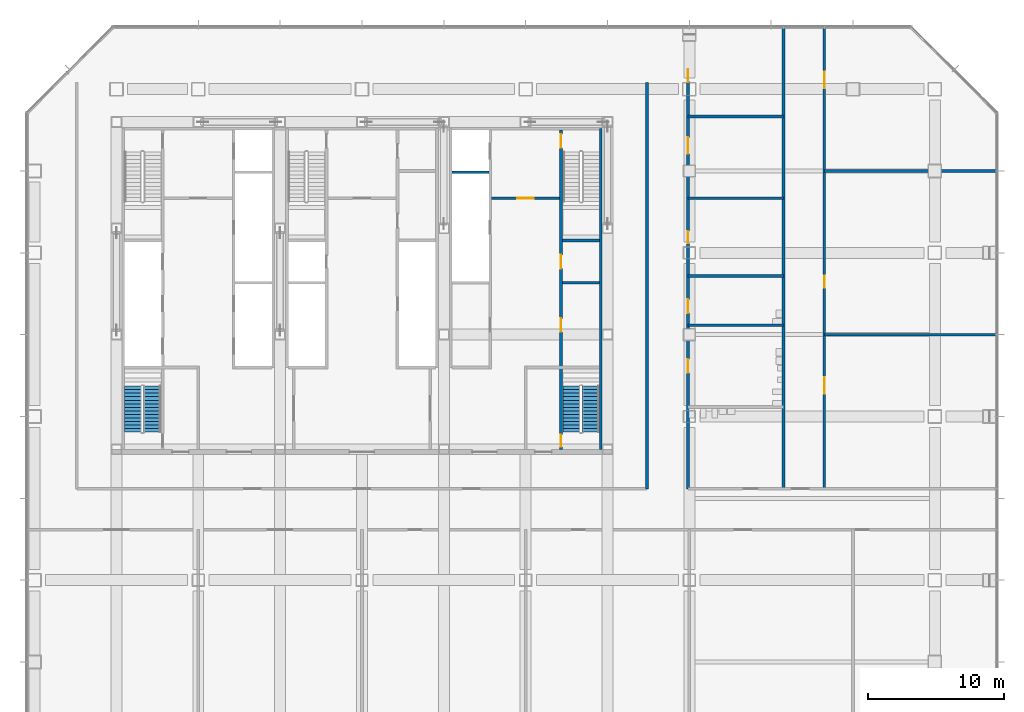
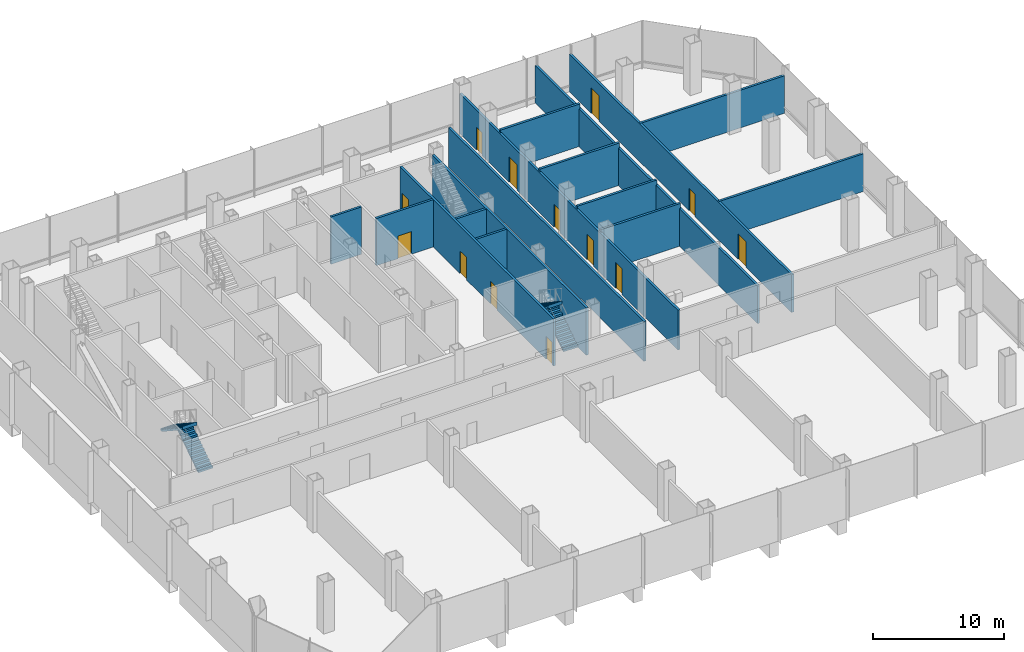
# One storey, part 24 of 34: 16 walls, 13 doors, 4 stair flights, 13 openings, 2 elements without a shape of their own.
"""IFC4 building model written with IfcOpenShell, lengths in metres."""

from ifc_helpers import new_model, si_unit, direction, frame, frame_2d, origin, place, context, subcontext, project, spatial, polyline, rectangle, outline, extrude, material, layer, layer_set, type_object, element, fill, aggregate, save


model = new_model("IFC4")

# Units and contexts
model_context = context("Model", 3, precision=1e-05, world=origin(), true_north=direction((0.0, 1.0)))
body_context = subcontext(model_context, "Body", "Model", "MODEL_VIEW")
ifc_project = project(units=[si_unit("LENGTHUNIT", "METRE"), si_unit("AREAUNIT", "SQUARE_METRE"), si_unit("VOLUMEUNIT", "CUBIC_METRE"), si_unit("PLANEANGLEUNIT", "RADIAN"), si_unit("MASSUNIT", "GRAM", prefix="KILO")], contexts=[model_context])

# Site, building, storey
site_placement = place(None, origin())
site = spatial("IfcSite", under=ifc_project, at=site_placement, CompositionType="ELEMENT")
building_placement = place(site_placement, origin())
building = spatial("IfcBuilding", under=site, at=building_placement, Name="Sorahane Residences", CompositionType="ELEMENT")
storey_placement = place(building_placement, frame((0.0, 0.0, 20.39990234375)))
storey = spatial("IfcBuildingStorey", under=building, at=storey_placement, Name="L02", CompositionType="ELEMENT", Elevation=20.39990234375)

# Walls
ifc_material_1 = material(Name="Concrete C30", Category="concrete")
ifc_layer_1 = layer(ifc_material_1, 0.199951171875)
ifc_layer_set_1 = layer_set([ifc_layer_1], Name="Core face wall 200 EI 180")
wall_type_1 = type_object("IfcWallType", Name="Core face wall 200 EI 180", PredefinedType="SOLIDWALL", material=ifc_layer_set_1)
wall_1_placement = place(storey_placement, frame((41.5, 21.60009765625, 0.0), z_axis=(0.0, 0.0, 1.0), x_axis=(0.0, 1.0, 0.0)))
element("IfcWall", 1, at=wall_1_placement, inside=storey, type_object=wall_type_1, Name="L02 core face wall", PredefinedType="SOLIDWALL", context=body_context, shape_type="SweptSolid", body=[
    extrude(rectangle(XDim=23.5, YDim=0.199951171875, at=frame_2d((11.75, 0.0))), origin(), (0.0, 0.0, 1.0), 4.400146484375),
])
ifc_material_2 = material(Name="Concrete blockwork C20 wall", Category="masonry")
ifc_layer_2 = layer(ifc_material_2, 0.199951171875)
ifc_layer_set_2 = layer_set([ifc_layer_2], Name="Corridor wall 200 EI 120")
wall_type_2 = type_object("IfcWallType", Name="Corridor wall 200 EI 120", PredefinedType="SOLIDWALL", material=ifc_layer_set_2)
wall_2_placement = place(storey_placement, frame((44.89990234375, 18.699951171875, 0.0), z_axis=(0.0, 0.0, 1.0), x_axis=(0.0, 1.0, 0.0)))
element("IfcWall", 2, at=wall_2_placement, inside=storey, type_object=wall_type_2, Name="L02 corridor wall", PredefinedType="SOLIDWALL", context=body_context, shape_type="SweptSolid", body=[
    extrude(rectangle(XDim=29.800048828125, YDim=0.199951171875, at=frame_2d((14.89990234375, 0.0))), origin(), (0.0, 0.0, 1.0), 3.7001953125),
])

# Wall, openings, doors
wall_3_placement = place(storey_placement, frame((47.89990234375, 18.699951171875, 0.0), z_axis=(0.0, 0.0, 1.0), x_axis=(0.0, 1.0, 0.0)))
wall_3 = element("IfcWall", 3, at=wall_3_placement, inside=storey, type_object=wall_type_2, Name="L02 corridor wall", PredefinedType="SOLIDWALL", context=body_context, shape_type="SweptSolid", body=[
    extrude(rectangle(XDim=33.300048828125, YDim=0.199951171875, at=frame_2d((16.64990234375, 0.0))), origin(), (0.0, 0.0, 1.0), 3.7001953125),
])
opening_1_placement = place(wall_3_placement, frame((8.5, 0.0, 0.0)))
opening_1 = element("IfcOpeningElement", 4, at=opening_1_placement, cuts=wall_3, Name="Opening L02-08", PredefinedType="OPENING", context=body_context, shape_type="SweptSolid", body=[
    extrude(rectangle(XDim=1.0, YDim=2.39990234375, at=frame_2d((0.5, 1.199951171875))), frame((0.0, 0.10986328125, 0.0), z_axis=(0.0, -1.0, 0.0), x_axis=(1.0, 0.0, 0.0)), (0.0, 0.0, 1.0), 0.219970703125),
])
opening_2_placement = place(wall_3_placement, frame((12.8798828125, 0.0, 0.0)))
opening_2 = element("IfcOpeningElement", 5, at=opening_2_placement, cuts=wall_3, Name="Opening L02-09", PredefinedType="OPENING", context=body_context, shape_type="SweptSolid", body=[
    extrude(rectangle(XDim=1.0, YDim=2.39990234375, at=frame_2d((0.5, 1.199951171875))), frame((0.0, 0.10986328125, 0.0), z_axis=(0.0, -1.0, 0.0), x_axis=(1.0, 0.0, 0.0)), (0.0, 0.0, 1.0), 0.219970703125),
])
opening_3_placement = place(wall_3_placement, frame((18.0, 0.0, 0.0)))
opening_3 = element("IfcOpeningElement", 6, at=opening_3_placement, cuts=wall_3, Name="Opening L02-10", PredefinedType="OPENING", context=body_context, shape_type="SweptSolid", body=[
    extrude(rectangle(XDim=0.89990234375, YDim=2.10009765625, at=frame_2d((0.449951171875, 1.050048828125))), frame((0.0, 0.10986328125, 0.0), z_axis=(0.0, -1.0, 0.0), x_axis=(1.0, 0.0, 0.0)), (0.0, 0.0, 1.0), 0.219970703125),
])
opening_4_placement = place(wall_3_placement, frame((24.56005859375, 0.0, 0.0)))
opening_4 = element("IfcOpeningElement", 7, at=opening_4_placement, cuts=wall_3, Name="Opening L02-11", PredefinedType="OPENING", context=body_context, shape_type="SweptSolid", body=[
    extrude(rectangle(XDim=1.199951171875, YDim=2.39990234375, at=frame_2d((0.60009765625, 1.199951171875))), frame((0.0, 0.10986328125, 0.0), z_axis=(0.0, -1.0, 0.0), x_axis=(1.0, 0.0, 0.0)), (0.0, 0.0, 1.0), 0.219970703125),
])
opening_5_placement = place(wall_3_placement, frame((29.85009765625, 0.0, 0.0)))
opening_5 = element("IfcOpeningElement", 8, at=opening_5_placement, cuts=wall_3, Name="Opening L02-12", PredefinedType="OPENING", context=body_context, shape_type="SweptSolid", body=[
    extrude(rectangle(XDim=0.89990234375, YDim=2.10009765625, at=frame_2d((0.449951171875, 1.050048828125))), frame((0.0, 0.10986328125, 0.0), z_axis=(0.0, -1.0, 0.0), x_axis=(1.0, 0.0, 0.0)), (0.0, 0.0, 1.0), 0.219970703125),
])
ifc_material_3 = material(Name="Steel", Category="steel")
door_type_1 = type_object("IfcDoorType", Name="Plant door 1200x2400 FD60", OperationType="NOTDEFINED", PredefinedType="DOOR", material=ifc_material_3)
door_1_placement = place(opening_4_placement, frame((1.199951171875, 0.0, 0.0), z_axis=(0.0, 0.0, 1.0), x_axis=(-1.0, 0.0, 0.0)))
door_1 = element("IfcDoor", 9, at=door_1_placement, inside=storey, type_object=door_type_1, Name="Plant door L02-11", OperationType="SINGLE_SWING_RIGHT", OverallHeight=2.39990234375, OverallWidth=1.199951171875, PredefinedType="DOOR", context=body_context, shape_type="SweptSolid", body=[
    extrude(rectangle(XDim=1.199951171875, YDim=2.39990234375, at=frame_2d((0.60009765625, 1.199951171875))), frame((0.0, 0.02490234375, 0.0), z_axis=(0.0, -1.0, 0.0), x_axis=(1.0, 0.0, 0.0)), (0.0, 0.0, 1.0), 0.050048828125),
])
fill(opening_4, door_1)
ifc_material_4 = material(Name="Timber veneered fire door", Category="wood")
door_type_2 = type_object("IfcDoorType", Name="Room door 1000x2400 FD30", OperationType="NOTDEFINED", PredefinedType="DOOR", material=ifc_material_4)
door_2_placement = place(opening_1_placement, frame((1.0, 0.0, 0.0), z_axis=(0.0, 0.0, 1.0), x_axis=(-1.0, 0.0, 0.0)))
door_2 = element("IfcDoor", 10, at=door_2_placement, inside=storey, type_object=door_type_2, Name="Room door L02-08", OperationType="SINGLE_SWING_LEFT", OverallHeight=2.39990234375, OverallWidth=1.0, PredefinedType="DOOR", context=body_context, shape_type="SweptSolid", body=[
    extrude(rectangle(XDim=1.0, YDim=2.39990234375, at=frame_2d((0.5, 1.199951171875))), frame((0.0, 0.02490234375, 0.0), z_axis=(0.0, -1.0, 0.0), x_axis=(1.0, 0.0, 0.0)), (0.0, 0.0, 1.0), 0.050048828125),
])
fill(opening_1, door_2)
door_3_placement = place(opening_2_placement, frame((1.0, 0.0, 0.0), z_axis=(0.0, 0.0, 1.0), x_axis=(-1.0, 0.0, 0.0)))
door_3 = element("IfcDoor", 11, at=door_3_placement, inside=storey, type_object=door_type_2, Name="Room door L02-09", OperationType="SINGLE_SWING_LEFT", OverallHeight=2.39990234375, OverallWidth=1.0, PredefinedType="DOOR", context=body_context, shape_type="SweptSolid", body=[
    extrude(rectangle(XDim=1.0, YDim=2.39990234375, at=frame_2d((0.5, 1.199951171875))), frame((0.0, 0.02490234375, 0.0), z_axis=(0.0, -1.0, 0.0), x_axis=(1.0, 0.0, 0.0)), (0.0, 0.0, 1.0), 0.050048828125),
])
fill(opening_2, door_3)
ifc_material_5 = material(Name="Timber veneered fire door", Category="wood")
door_type_3 = type_object("IfcDoorType", Name="Service door 900x2100 FD30", OperationType="NOTDEFINED", PredefinedType="DOOR", material=ifc_material_5)
door_4_placement = place(opening_3_placement, frame((0.89990234375, 0.0, 0.0), z_axis=(0.0, 0.0, 1.0), x_axis=(-1.0, 0.0, 0.0)))
door_4 = element("IfcDoor", 12, at=door_4_placement, inside=storey, type_object=door_type_3, Name="Service door L02-10", OperationType="SINGLE_SWING_RIGHT", OverallHeight=2.10009765625, OverallWidth=0.89990234375, PredefinedType="DOOR", context=body_context, shape_type="SweptSolid", body=[
    extrude(rectangle(XDim=0.89990234375, YDim=2.10009765625, at=frame_2d((0.449951171875, 1.050048828125))), frame((0.0, 0.02490234375, 0.0), z_axis=(0.0, -1.0, 0.0), x_axis=(1.0, 0.0, 0.0)), (0.0, 0.0, 1.0), 0.050048828125),
])
fill(opening_3, door_4)
door_5_placement = place(opening_5_placement, frame((0.89990234375, 0.0, 0.0), z_axis=(0.0, 0.0, 1.0), x_axis=(-1.0, 0.0, 0.0)))
door_5 = element("IfcDoor", 13, at=door_5_placement, inside=storey, type_object=door_type_3, Name="Service door L02-12", OperationType="SINGLE_SWING_LEFT", OverallHeight=2.10009765625, OverallWidth=0.89990234375, PredefinedType="DOOR", context=body_context, shape_type="SweptSolid", body=[
    extrude(rectangle(XDim=0.89990234375, YDim=2.10009765625, at=frame_2d((0.449951171875, 1.050048828125))), frame((0.0, 0.02490234375, 0.0), z_axis=(0.0, -1.0, 0.0), x_axis=(1.0, 0.0, 0.0)), (0.0, 0.0, 1.0), 0.050048828125),
])
fill(opening_5, door_5)

# Wall
wall_4_placement = place(storey_placement, frame((54.89990234375, 18.699951171875, 0.0), z_axis=(0.0, 0.0, 1.0), x_axis=(0.0, 1.0, 0.0)))
element("IfcWall", 14, at=wall_4_placement, inside=storey, type_object=wall_type_2, Name="L02 corridor wall", PredefinedType="SOLIDWALL", context=body_context, shape_type="SweptSolid", body=[
    extrude(rectangle(XDim=33.900146484375, YDim=0.199951171875, at=frame_2d((16.9501953125, 0.0))), origin(), (0.0, 0.0, 1.0), 3.5),
])

# Wall, openings, doors
wall_5_placement = place(storey_placement, frame((57.89990234375, 18.699951171875, 0.0), z_axis=(0.0, 0.0, 1.0), x_axis=(0.0, 1.0, 0.0)))
wall_5 = element("IfcWall", 15, at=wall_5_placement, inside=storey, type_object=wall_type_2, Name="L02 corridor wall", PredefinedType="SOLIDWALL", context=body_context, shape_type="SweptSolid", body=[
    extrude(rectangle(XDim=33.900146484375, YDim=0.199951171875, at=frame_2d((16.9501953125, 0.0))), origin(), (0.0, 0.0, 1.0), 3.5),
])
opening_6_placement = place(wall_5_placement, frame((6.969970703125, 0.0, 0.0)))
opening_6 = element("IfcOpeningElement", 16, at=opening_6_placement, cuts=wall_5, Name="Opening L02-14", PredefinedType="OPENING", context=body_context, shape_type="SweptSolid", body=[
    extrude(rectangle(XDim=1.199951171875, YDim=2.39990234375, at=frame_2d((0.60009765625, 1.199951171875))), frame((0.0, 0.10986328125, 0.0), z_axis=(0.0, -1.0, 0.0), x_axis=(1.0, 0.0, 0.0)), (0.0, 0.0, 1.0), 0.219970703125),
])
opening_7_placement = place(wall_5_placement, frame((14.72998046875, 0.0, 0.0)))
opening_7 = element("IfcOpeningElement", 17, at=opening_7_placement, cuts=wall_5, Name="Opening L02-15", PredefinedType="OPENING", context=body_context, shape_type="SweptSolid", body=[
    extrude(rectangle(XDim=0.89990234375, YDim=2.10009765625, at=frame_2d((0.449951171875, 1.050048828125))), frame((0.0, 0.10986328125, 0.0), z_axis=(0.0, -1.0, 0.0), x_axis=(1.0, 0.0, 0.0)), (0.0, 0.0, 1.0), 0.219970703125),
])
opening_8_placement = place(wall_5_placement, frame((29.360107421875, 0.0, 0.0)))
opening_8 = element("IfcOpeningElement", 18, at=opening_8_placement, cuts=wall_5, Name="Opening L02-16", PredefinedType="OPENING", context=body_context, shape_type="SweptSolid", body=[
    extrude(rectangle(XDim=1.199951171875, YDim=2.39990234375, at=frame_2d((0.60009765625, 1.199951171875))), frame((0.0, 0.10986328125, 0.0), z_axis=(0.0, -1.0, 0.0), x_axis=(1.0, 0.0, 0.0)), (0.0, 0.0, 1.0), 0.219970703125),
])
door_6_placement = place(opening_6_placement, frame((1.199951171875, 0.0, 0.0), z_axis=(0.0, 0.0, 1.0), x_axis=(-1.0, 0.0, 0.0)))
door_6 = element("IfcDoor", 19, at=door_6_placement, inside=storey, type_object=door_type_1, Name="Plant door L02-14", OperationType="SINGLE_SWING_RIGHT", OverallHeight=2.39990234375, OverallWidth=1.199951171875, PredefinedType="DOOR", context=body_context, shape_type="SweptSolid", body=[
    extrude(rectangle(XDim=1.199951171875, YDim=2.39990234375, at=frame_2d((0.60009765625, 1.199951171875))), frame((0.0, 0.02490234375, 0.0), z_axis=(0.0, -1.0, 0.0), x_axis=(1.0, 0.0, 0.0)), (0.0, 0.0, 1.0), 0.050048828125),
])
fill(opening_6, door_6)
door_7_placement = place(opening_8_placement, frame((1.199951171875, 0.0, 0.0), z_axis=(0.0, 0.0, 1.0), x_axis=(-1.0, 0.0, 0.0)))
door_7 = element("IfcDoor", 20, at=door_7_placement, inside=storey, type_object=door_type_1, Name="Plant door L02-16", OperationType="SINGLE_SWING_LEFT", OverallHeight=2.39990234375, OverallWidth=1.199951171875, PredefinedType="DOOR", context=body_context, shape_type="SweptSolid", body=[
    extrude(rectangle(XDim=1.199951171875, YDim=2.39990234375, at=frame_2d((0.60009765625, 1.199951171875))), frame((0.0, 0.02490234375, 0.0), z_axis=(0.0, -1.0, 0.0), x_axis=(1.0, 0.0, 0.0)), (0.0, 0.0, 1.0), 0.050048828125),
])
fill(opening_8, door_7)
door_8_placement = place(opening_7_placement, frame((0.89990234375, 0.0, 0.0), z_axis=(0.0, 0.0, 1.0), x_axis=(-1.0, 0.0, 0.0)))
door_8 = element("IfcDoor", 21, at=door_8_placement, inside=storey, type_object=door_type_3, Name="Service door L02-15", OperationType="SINGLE_SWING_RIGHT", OverallHeight=2.10009765625, OverallWidth=0.89990234375, PredefinedType="DOOR", context=body_context, shape_type="SweptSolid", body=[
    extrude(rectangle(XDim=0.89990234375, YDim=2.10009765625, at=frame_2d((0.449951171875, 1.050048828125))), frame((0.0, 0.02490234375, 0.0), z_axis=(0.0, -1.0, 0.0), x_axis=(1.0, 0.0, 0.0)), (0.0, 0.0, 1.0), 0.050048828125),
])
fill(opening_7, door_8)

# Walls
wall_6_placement = place(storey_placement, frame((57.89990234375, 30.0, 0.0), z_axis=(0.0, 0.0, 1.0), x_axis=(1.0, 0.0, 0.0)))
element("IfcWall", 22, at=wall_6_placement, inside=storey, type_object=wall_type_2, Name="L02 corridor wall", PredefinedType="SOLIDWALL", context=body_context, shape_type="SweptSolid", body=[
    extrude(rectangle(XDim=12.7001953125, YDim=0.199951171875, at=frame_2d((6.35009765625, 0.0))), origin(), (0.0, 0.0, 1.0), 3.5),
])
for number, where, z_axis, x_axis, name in (
    (23, (47.89990234375, 30.699951171875, 0.0), (0.0, 0.0, 1.0), (1.0, 0.0, 0.0), "L02 corridor wall"),
    (24, (47.89990234375, 34.300048828125, 0.0), (0.0, 0.0, 1.0), (1.0, 0.0, 0.0), "L02 corridor wall"),
    (25, (47.89990234375, 40.0, 0.0), (0.0, 0.0, 1.0), (1.0, 0.0, 0.0), "L02 corridor wall"),
):
    element("IfcWall", number, at=place(storey_placement, frame(where, z_axis=z_axis, x_axis=x_axis)), inside=storey, type_object=wall_type_2, Name=name, PredefinedType="SOLIDWALL", context=body_context, shape_type="SweptSolid", body=[
        extrude(rectangle(XDim=7.0, YDim=0.199951171875, at=frame_2d((3.5, 0.0))), origin(), (0.0, 0.0, 1.0), 3.9501953125),
    ])
wall_7_placement = place(storey_placement, frame((57.89990234375, 42.0, 0.0), z_axis=(0.0, 0.0, 1.0), x_axis=(1.0, 0.0, 0.0)))
element("IfcWall", 26, at=wall_7_placement, inside=storey, type_object=wall_type_2, Name="L02 corridor wall", PredefinedType="SOLIDWALL", context=body_context, shape_type="SweptSolid", body=[
    extrude(rectangle(XDim=12.7001953125, YDim=0.199951171875, at=frame_2d((6.35009765625, 0.0))), origin(), (0.0, 0.0, 1.0), 3.5),
])
wall_8_placement = place(storey_placement, frame((47.89990234375, 46.0, 0.0), z_axis=(0.0, 0.0, 1.0), x_axis=(1.0, 0.0, 0.0)))
element("IfcWall", 27, at=wall_8_placement, inside=storey, type_object=wall_type_2, Name="L02 corridor wall", PredefinedType="SOLIDWALL", context=body_context, shape_type="SweptSolid", body=[
    extrude(rectangle(XDim=7.0, YDim=0.199951171875, at=frame_2d((3.5, 0.0))), origin(), (0.0, 0.0, 1.0), 3.9501953125),
])

# Wall, opening, door
ifc_material_6 = material(Name="Concrete C30", Category="concrete")
ifc_layer_3 = layer(ifc_material_6, 0.199951171875)
ifc_layer_set_3 = layer_set([ifc_layer_3], Name="Front room wall 200 EI 120")
wall_type_3 = type_object("IfcWallType", Name="Front room wall 200 EI 120", PredefinedType="PARTITIONING", material=ifc_layer_set_3)
wall_9_placement = place(storey_placement, frame((33.5, 40.0, 0.0), z_axis=(0.0, 0.0, 1.0), x_axis=(1.0, 0.0, 0.0)))
wall_9 = element("IfcWall", 28, at=wall_9_placement, inside=storey, type_object=wall_type_3, Name="L02 front room wall", PredefinedType="PARTITIONING", context=body_context, shape_type="SweptSolid", body=[
    extrude(rectangle(XDim=5.0, YDim=0.199951171875, at=frame_2d((2.5, 0.0))), origin(), (0.0, 0.0, 1.0), 4.400146484375),
])
opening_9_placement = place(wall_9_placement, frame((1.89990234375, 0.0, 0.0)))
opening_9 = element("IfcOpeningElement", 29, at=opening_9_placement, cuts=wall_9, Name="Opening L02-C10", PredefinedType="OPENING", context=body_context, shape_type="SweptSolid", body=[
    extrude(rectangle(XDim=1.199951171875, YDim=2.10009765625, at=frame_2d((0.60009765625, 1.050048828125))), frame((0.0, 0.10986328125, 0.0), z_axis=(0.0, -1.0, 0.0), x_axis=(1.0, 0.0, 0.0)), (0.0, 0.0, 1.0), 0.219970703125),
])
ifc_material_7 = material(Name="Steel", Category="steel")
door_type_4 = type_object("IfcDoorType", Name="Front room door 1200x2100 FD120", OperationType="NOTDEFINED", PredefinedType="DOOR", material=ifc_material_7)
door_9_placement = place(opening_9_placement, frame((1.199951171875, 0.0, 0.0), z_axis=(0.0, 0.0, 1.0), x_axis=(-1.0, 0.0, 0.0)))
door_9 = element("IfcDoor", 30, at=door_9_placement, inside=storey, type_object=door_type_4, Name="Front room door Firefighting lobby FF2 front room L02", OperationType="DOUBLE_DOOR_SINGLE_SWING", OverallHeight=2.10009765625, OverallWidth=1.199951171875, PredefinedType="DOOR", context=body_context, shape_type="SweptSolid", body=[
    extrude(rectangle(XDim=1.199951171875, YDim=2.10009765625, at=frame_2d((0.60009765625, 1.050048828125))), frame((0.0, 0.02490234375, 0.0), z_axis=(0.0, -1.0, 0.0), x_axis=(1.0, 0.0, 0.0)), (0.0, 0.0, 1.0), 0.050048828125),
])
fill(opening_9, door_9)

# Walls
ifc_material_8 = material(Name="Concrete C30", Category="concrete")
ifc_layer_4 = layer(ifc_material_8, 0.199951171875)
ifc_layer_set_4 = layer_set([ifc_layer_4], Name="Lift shaft wall 200 EI 120")
wall_type_4 = type_object("IfcWallType", Name="Lift shaft wall 200 EI 120", PredefinedType="SOLIDWALL", material=ifc_layer_set_4)
wall_10_placement = place(storey_placement, frame((30.60009765625, 41.89990234375, 0.0), z_axis=(0.0, 0.0, 1.0), x_axis=(1.0, 0.0, 0.0)))
element("IfcWall", 31, at=wall_10_placement, inside=storey, type_object=wall_type_4, Name="L02 lift shaft wall", PredefinedType="SOLIDWALL", context=body_context, shape_type="SweptSolid", body=[
    extrude(rectangle(XDim=2.699951171875, YDim=0.199951171875, at=frame_2d((1.35009765625, 0.0))), origin(), (0.0, 0.0, 1.0), 4.400146484375),
])
ifc_material_9 = material(Name="Concrete C30", Category="concrete")
ifc_layer_5 = layer(ifc_material_9, 0.199951171875)
ifc_layer_set_5 = layer_set([ifc_layer_5], Name="Service room partition 200 EI 60")
wall_type_5 = type_object("IfcWallType", Name="Service room partition 200 EI 60", PredefinedType="PARTITIONING", material=ifc_layer_set_5)
wall_11_placement = place(storey_placement, frame((38.699951171875, 33.800048828125, 0.0), z_axis=(0.0, 0.0, 1.0), x_axis=(1.0, 0.0, 0.0)))
element("IfcWall", 32, at=wall_11_placement, inside=storey, type_object=wall_type_5, Name="L02 service room wall", PredefinedType="PARTITIONING", context=body_context, shape_type="SweptSolid", body=[
    extrude(rectangle(XDim=2.699951171875, YDim=0.199951171875, at=frame_2d((1.35009765625, 0.0))), origin(), (0.0, 0.0, 1.0), 4.400146484375),
])

# Wall, openings, doors
ifc_material_10 = material(Name="Concrete C30", Category="concrete")
ifc_layer_6 = layer(ifc_material_10, 0.199951171875)
ifc_layer_set_6 = layer_set([ifc_layer_6], Name="Stair enclosure wall 200 EI 120")
wall_type_6 = type_object("IfcWallType", Name="Stair enclosure wall 200 EI 120", PredefinedType="SOLIDWALL", material=ifc_layer_set_6)
wall_12_placement = place(storey_placement, frame((38.60009765625, 21.60009765625, 0.0), z_axis=(0.0, 0.0, 1.0), x_axis=(0.0, 1.0, 0.0)))
wall_12 = element("IfcWall", 33, at=wall_12_placement, inside=storey, type_object=wall_type_6, Name="L02 stair enclosure wall", PredefinedType="SOLIDWALL", context=body_context, shape_type="SweptSolid", body=[
    extrude(rectangle(XDim=23.39990234375, YDim=0.199951171875, at=frame_2d((11.699951171875, 0.0))), origin(), (0.0, 0.0, 1.0), 4.400146484375),
])
opening_10_placement = place(wall_12_placement, frame((8.60009765625, 0.0, 0.0)))
opening_10 = element("IfcOpeningElement", 34, at=opening_10_placement, cuts=wall_12, Name="Opening L02-C18", PredefinedType="OPENING", context=body_context, shape_type="SweptSolid", body=[
    extrude(rectangle(XDim=1.0, YDim=2.10009765625, at=frame_2d((0.5, 1.050048828125))), frame((0.0, 0.10986328125, 0.0), z_axis=(0.0, -1.0, 0.0), x_axis=(1.0, 0.0, 0.0)), (0.0, 0.0, 1.0), 0.219970703125),
])
opening_11_placement = place(wall_12_placement, frame((13.25, 0.0, 0.0)))
opening_11 = element("IfcOpeningElement", 35, at=opening_11_placement, cuts=wall_12, Name="Opening L02-C19", PredefinedType="OPENING", context=body_context, shape_type="SweptSolid", body=[
    extrude(rectangle(XDim=1.0, YDim=2.10009765625, at=frame_2d((0.5, 1.050048828125))), frame((0.0, 0.10986328125, 0.0), z_axis=(0.0, -1.0, 0.0), x_axis=(1.0, 0.0, 0.0)), (0.0, 0.0, 1.0), 0.219970703125),
])
opening_12_placement = place(wall_12_placement, frame((22.10009765625, 0.0, 0.0)))
opening_12 = element("IfcOpeningElement", 36, at=opening_12_placement, cuts=wall_12, Name="Opening L02-C22", PredefinedType="OPENING", context=body_context, shape_type="SweptSolid", body=[
    extrude(rectangle(XDim=1.0, YDim=2.10009765625, at=frame_2d((0.5, 1.050048828125))), frame((0.0, 0.10986328125, 0.0), z_axis=(0.0, -1.0, 0.0), x_axis=(1.0, 0.0, 0.0)), (0.0, 0.0, 1.0), 0.219970703125),
])
opening_13_placement = place(wall_12_placement, frame((0.175048828125, 0.0, 0.0)))
opening_13 = element("IfcOpeningElement", 37, at=opening_13_placement, cuts=wall_12, Name="Opening L02-C25", PredefinedType="OPENING", context=body_context, shape_type="SweptSolid", body=[
    extrude(rectangle(XDim=0.89990234375, YDim=2.10009765625, at=frame_2d((0.449951171875, 1.050048828125))), frame((0.0, 0.10986328125, 0.0), z_axis=(0.0, -1.0, 0.0), x_axis=(1.0, 0.0, 0.0)), (0.0, 0.0, 1.0), 0.219970703125),
])
ifc_material_11 = material(Name="Steel", Category="steel")
door_type_5 = type_object("IfcDoorType", Name="Service room door 1000x2100 FD60", OperationType="NOTDEFINED", PredefinedType="DOOR", material=ifc_material_11)
door_10_placement = place(opening_10_placement, frame((1.0, 0.0, 0.0), z_axis=(0.0, 0.0, 1.0), x_axis=(-1.0, 0.0, 0.0)))
door_10 = element("IfcDoor", 38, at=door_10_placement, inside=storey, type_object=door_type_5, Name="Service room door Cinema room L02", OperationType="SINGLE_SWING_RIGHT", OverallHeight=2.10009765625, OverallWidth=1.0, PredefinedType="DOOR", context=body_context, shape_type="SweptSolid", body=[
    extrude(rectangle(XDim=1.0, YDim=2.10009765625, at=frame_2d((0.5, 1.050048828125))), frame((0.0, 0.02490234375, 0.0), z_axis=(0.0, -1.0, 0.0), x_axis=(1.0, 0.0, 0.0)), (0.0, 0.0, 1.0), 0.050048828125),
])
fill(opening_10, door_10)
door_11_placement = place(opening_11_placement, frame((1.0, 0.0, 0.0), z_axis=(0.0, 0.0, 1.0), x_axis=(-1.0, 0.0, 0.0)))
door_11 = element("IfcDoor", 39, at=door_11_placement, inside=storey, type_object=door_type_5, Name="Service room door Archive L02", OperationType="SINGLE_SWING_LEFT", OverallHeight=2.10009765625, OverallWidth=1.0, PredefinedType="DOOR", context=body_context, shape_type="SweptSolid", body=[
    extrude(rectangle(XDim=1.0, YDim=2.10009765625, at=frame_2d((0.5, 1.050048828125))), frame((0.0, 0.02490234375, 0.0), z_axis=(0.0, -1.0, 0.0), x_axis=(1.0, 0.0, 0.0)), (0.0, 0.0, 1.0), 0.050048828125),
])
fill(opening_11, door_11)
ifc_material_12 = material(Name="Steel", Category="steel")
door_type_6 = type_object("IfcDoorType", Name="Stair door 1000x2100 FD120", OperationType="NOTDEFINED", PredefinedType="DOOR", material=ifc_material_12)
door_12_placement = place(opening_12_placement, frame((1.0, 0.0, 0.0), z_axis=(0.0, 0.0, 1.0), x_axis=(-1.0, 0.0, 0.0)))
door_12 = element("IfcDoor", 40, at=door_12_placement, inside=storey, type_object=door_type_6, Name="Stair door S2 L02", OperationType="SINGLE_SWING_LEFT", OverallHeight=2.10009765625, OverallWidth=1.0, PredefinedType="DOOR", context=body_context, shape_type="SweptSolid", body=[
    extrude(rectangle(XDim=1.0, YDim=2.10009765625, at=frame_2d((0.5, 1.050048828125))), frame((0.0, 0.02490234375, 0.0), z_axis=(0.0, -1.0, 0.0), x_axis=(1.0, 0.0, 0.0)), (0.0, 0.0, 1.0), 0.050048828125),
])
fill(opening_12, door_12)
ifc_material_13 = material(Name="Steel", Category="steel")
door_type_7 = type_object("IfcDoorType", Name="Stair door 900x2100 FD120", OperationType="NOTDEFINED", PredefinedType="DOOR", material=ifc_material_13)
door_13_placement = place(opening_13_placement, frame((0.89990234375, 0.0, 0.0), z_axis=(0.0, 0.0, 1.0), x_axis=(-1.0, 0.0, 0.0)))
door_13 = element("IfcDoor", 41, at=door_13_placement, inside=storey, type_object=door_type_7, Name="Stair door S5 L02", OperationType="SINGLE_SWING_LEFT", OverallHeight=2.10009765625, OverallWidth=0.89990234375, PredefinedType="DOOR", context=body_context, shape_type="SweptSolid", body=[
    extrude(rectangle(XDim=0.89990234375, YDim=2.10009765625, at=frame_2d((0.449951171875, 1.050048828125))), frame((0.0, 0.02490234375, 0.0), z_axis=(0.0, -1.0, 0.0), x_axis=(1.0, 0.0, 0.0)), (0.0, 0.0, 1.0), 0.050048828125),
])
fill(opening_13, door_13)

# Wall
wall_13_placement = place(storey_placement, frame((38.699951171875, 36.89990234375, 0.0), z_axis=(0.0, 0.0, 1.0), x_axis=(1.0, 0.0, 0.0)))
element("IfcWall", 42, at=wall_13_placement, inside=storey, type_object=wall_type_6, Name="L02 stair enclosure wall", PredefinedType="SOLIDWALL", context=body_context, shape_type="SweptSolid", body=[
    extrude(rectangle(XDim=2.699951171875, YDim=0.199951171875, at=frame_2d((1.35009765625, 0.0))), origin(), (0.0, 0.0, 1.0), 4.400146484375),
])

# Stair, stair flights
ifc_material_14 = material(Name="Concrete C40", Category="concrete")
stair_type = type_object("IfcStairType", Name="Dog-leg stair 1250 Concrete C40", PredefinedType="HALF_TURN_STAIR", material=ifc_material_14)
stair_1_placement = place(storey_placement, origin())
stair_1 = element("IfcStair", 43, at=stair_1_placement, inside=storey, type_object=stair_type, Name="L02 Stair S4", PredefinedType="HALF_TURN_STAIR")
ifc_material_15 = material(Name="Concrete C40", Category="concrete")
stair_flight_type = type_object("IfcStairFlightType", Name="Stair flight 1250 Concrete C40", PredefinedType="STRAIGHT", material=ifc_material_15)
stair_flight_1_placement = place(storey_placement, frame((8.625, 22.85009765625, 0.0), z_axis=(0.0, 0.0, 1.0), x_axis=(0.0, 1.0, 0.0)))
stair_flight_1 = element("IfcStairFlight", 44, at=stair_flight_1_placement, type_object=stair_flight_type, Name="S4 flight 1", NumberOfRisers=14, NumberOfTreads=13, PredefinedType="STRAIGHT", RiserHeight=0.171428571, TreadLength=0.26, context=body_context, shape_type="SweptSolid", body=[
    extrude(outline(polyline([(-0.00146484375, 0.0), (-0.00146484375, 0.17138671875), (0.0, 0.17138671875), (0.260009765625, 0.17138671875), (0.260009765625, 0.3427734375), (0.52001953125, 0.3427734375), (0.52001953125, 0.514404296875), (0.780029296875, 0.514404296875), (0.780029296875, 0.685791015625), (1.0400390625, 0.685791015625), (1.0400390625, 0.857177734375), (1.300048828125, 0.857177734375), (1.300048828125, 1.028564453125), (1.56005859375, 1.028564453125), (1.56005859375, 1.199951171875), (1.820068359375, 1.199951171875), (1.820068359375, 1.371337890625), (2.080078125, 1.371337890625), (2.080078125, 1.54296875), (2.340087890625, 1.54296875), (2.340087890625, 1.71435546875), (2.60009765625, 1.71435546875), (2.60009765625, 1.8857421875), (2.860107421875, 1.8857421875), (2.860107421875, 2.05712890625), (3.1201171875, 2.05712890625), (3.1201171875, 2.228515625), (3.3798828125, 2.228515625), (3.3798828125, 2.39990234375), (3.3798828125, 2.084716796875), (3.169189453125, 1.94580078125), (2.95849609375, 1.806640625), (2.74755859375, 1.667724609375), (2.536865234375, 1.52880859375), (2.326171875, 1.389892578125), (2.115234375, 1.250732421875), (1.904541015625, 1.11181640625), (1.693603515625, 0.972900390625), (1.48291015625, 0.833984375), (1.272216796875, 0.69482421875), (1.061279296875, 0.555908203125), (0.8505859375, 0.4169921875), (0.639892578125, 0.278076171875), (0.428955078125, 0.138916015625), (0.21826171875, 0.0), (-0.00146484375, 0.0)])), frame((0.0, 0.625, 0.0), z_axis=(0.0, -1.0, 0.0), x_axis=(1.0, 0.0, 0.0)), (0.0, 0.0, 1.0), 1.25),
])
stair_flight_2_placement = place(storey_placement, frame((7.22509765625, 26.22998046875, 2.400146484375), z_axis=(0.0, 0.0, 1.0), x_axis=(0.0, -1.0, 0.0)))
stair_flight_2 = element("IfcStairFlight", 45, at=stair_flight_2_placement, type_object=stair_flight_type, Name="S4 flight 2", NumberOfRisers=14, NumberOfTreads=13, PredefinedType="STRAIGHT", RiserHeight=0.171428571, TreadLength=0.26, context=body_context, shape_type="SweptSolid", body=[
    extrude(outline(polyline([(0.0, 0.0), (0.0, 0.17138671875), (0.260009765625, 0.17138671875), (0.260009765625, 0.3427734375), (0.52001953125, 0.3427734375), (0.52001953125, 0.514404296875), (0.780029296875, 0.514404296875), (0.780029296875, 0.685791015625), (1.0400390625, 0.685791015625), (1.0400390625, 0.857177734375), (1.300048828125, 0.857177734375), (1.300048828125, 1.028564453125), (1.56005859375, 1.028564453125), (1.56005859375, 1.199951171875), (1.820068359375, 1.199951171875), (1.820068359375, 1.371337890625), (2.080078125, 1.371337890625), (2.080078125, 1.54296875), (2.340087890625, 1.54296875), (2.340087890625, 1.71435546875), (2.60009765625, 1.71435546875), (2.60009765625, 1.8857421875), (2.860107421875, 1.8857421875), (2.860107421875, 2.05712890625), (3.1201171875, 2.05712890625), (3.1201171875, 2.228515625), (3.3798828125, 2.228515625), (3.3798828125, 2.39990234375), (3.381591796875, 2.39990234375), (3.381591796875, 2.084716796875), (3.170654296875, 1.94580078125), (2.959716796875, 1.806640625), (2.748779296875, 1.667724609375), (2.537841796875, 1.52880859375), (2.3271484375, 1.389892578125), (2.1162109375, 1.250732421875), (1.9052734375, 1.11181640625), (1.6943359375, 0.972900390625), (1.483642578125, 0.833984375), (1.272705078125, 0.69482421875), (1.061767578125, 0.555908203125), (0.850830078125, 0.4169921875), (0.639892578125, 0.278076171875), (0.42919921875, 0.138916015625), (0.21826171875, 0.0), (0.0, 0.0)])), frame((0.0, 0.625, 0.0), z_axis=(0.0, -1.0, 0.0), x_axis=(1.0, 0.0, 0.0)), (0.0, 0.0, 1.0), 1.25),
])
aggregate(stair_1, [stair_flight_1, stair_flight_2])

stair_2_placement = place(storey_placement, origin())
stair_2 = element("IfcStair", 46, at=stair_2_placement, inside=storey, type_object=stair_type, Name="L02 Stair S5", PredefinedType="HALF_TURN_STAIR")
stair_flight_3_placement = place(storey_placement, frame((40.77490234375, 22.85009765625, 0.0), z_axis=(0.0, 0.0, 1.0), x_axis=(0.0, 1.0, 0.0)))
stair_flight_3 = element("IfcStairFlight", 47, at=stair_flight_3_placement, type_object=stair_flight_type, Name="S5 flight 1", NumberOfRisers=14, NumberOfTreads=13, PredefinedType="STRAIGHT", RiserHeight=0.171428571, TreadLength=0.26, context=body_context, shape_type="SweptSolid", body=[
    extrude(outline(polyline([(-0.00146484375, 0.0), (-0.00146484375, 0.17138671875), (0.0, 0.17138671875), (0.260009765625, 0.17138671875), (0.260009765625, 0.3427734375), (0.52001953125, 0.3427734375), (0.52001953125, 0.514404296875), (0.780029296875, 0.514404296875), (0.780029296875, 0.685791015625), (1.0400390625, 0.685791015625), (1.0400390625, 0.857177734375), (1.300048828125, 0.857177734375), (1.300048828125, 1.028564453125), (1.56005859375, 1.028564453125), (1.56005859375, 1.199951171875), (1.820068359375, 1.199951171875), (1.820068359375, 1.371337890625), (2.080078125, 1.371337890625), (2.080078125, 1.54296875), (2.340087890625, 1.54296875), (2.340087890625, 1.71435546875), (2.60009765625, 1.71435546875), (2.60009765625, 1.8857421875), (2.860107421875, 1.8857421875), (2.860107421875, 2.05712890625), (3.1201171875, 2.05712890625), (3.1201171875, 2.228515625), (3.3798828125, 2.228515625), (3.3798828125, 2.39990234375), (3.3798828125, 2.084716796875), (3.169189453125, 1.94580078125), (2.95849609375, 1.806640625), (2.74755859375, 1.667724609375), (2.536865234375, 1.52880859375), (2.326171875, 1.389892578125), (2.115234375, 1.250732421875), (1.904541015625, 1.11181640625), (1.693603515625, 0.972900390625), (1.48291015625, 0.833984375), (1.272216796875, 0.69482421875), (1.061279296875, 0.555908203125), (0.8505859375, 0.4169921875), (0.639892578125, 0.278076171875), (0.428955078125, 0.138916015625), (0.21826171875, 0.0), (-0.00146484375, 0.0)])), frame((0.0, 0.625, 0.0), z_axis=(0.0, -1.0, 0.0), x_axis=(1.0, 0.0, 0.0)), (0.0, 0.0, 1.0), 1.25),
])
stair_flight_4_placement = place(storey_placement, frame((39.375, 26.22998046875, 2.400146484375), z_axis=(0.0, 0.0, 1.0), x_axis=(0.0, -1.0, 0.0)))
stair_flight_4 = element("IfcStairFlight", 48, at=stair_flight_4_placement, type_object=stair_flight_type, Name="S5 flight 2", NumberOfRisers=14, NumberOfTreads=13, PredefinedType="STRAIGHT", RiserHeight=0.171428571, TreadLength=0.26, context=body_context, shape_type="SweptSolid", body=[
    extrude(outline(polyline([(0.0, 0.0), (0.0, 0.17138671875), (0.260009765625, 0.17138671875), (0.260009765625, 0.3427734375), (0.52001953125, 0.3427734375), (0.52001953125, 0.514404296875), (0.780029296875, 0.514404296875), (0.780029296875, 0.685791015625), (1.0400390625, 0.685791015625), (1.0400390625, 0.857177734375), (1.300048828125, 0.857177734375), (1.300048828125, 1.028564453125), (1.56005859375, 1.028564453125), (1.56005859375, 1.199951171875), (1.820068359375, 1.199951171875), (1.820068359375, 1.371337890625), (2.080078125, 1.371337890625), (2.080078125, 1.54296875), (2.340087890625, 1.54296875), (2.340087890625, 1.71435546875), (2.60009765625, 1.71435546875), (2.60009765625, 1.8857421875), (2.860107421875, 1.8857421875), (2.860107421875, 2.05712890625), (3.1201171875, 2.05712890625), (3.1201171875, 2.228515625), (3.3798828125, 2.228515625), (3.3798828125, 2.39990234375), (3.381591796875, 2.39990234375), (3.381591796875, 2.084716796875), (3.170654296875, 1.94580078125), (2.959716796875, 1.806640625), (2.748779296875, 1.667724609375), (2.537841796875, 1.52880859375), (2.3271484375, 1.389892578125), (2.1162109375, 1.250732421875), (1.9052734375, 1.11181640625), (1.6943359375, 0.972900390625), (1.483642578125, 0.833984375), (1.272705078125, 0.69482421875), (1.061767578125, 0.555908203125), (0.850830078125, 0.4169921875), (0.639892578125, 0.278076171875), (0.42919921875, 0.138916015625), (0.21826171875, 0.0), (0.0, 0.0)])), frame((0.0, 0.625, 0.0), z_axis=(0.0, -1.0, 0.0), x_axis=(1.0, 0.0, 0.0)), (0.0, 0.0, 1.0), 1.25),
])
aggregate(stair_2, [stair_flight_3, stair_flight_4])

save(model, "model.ifc")
